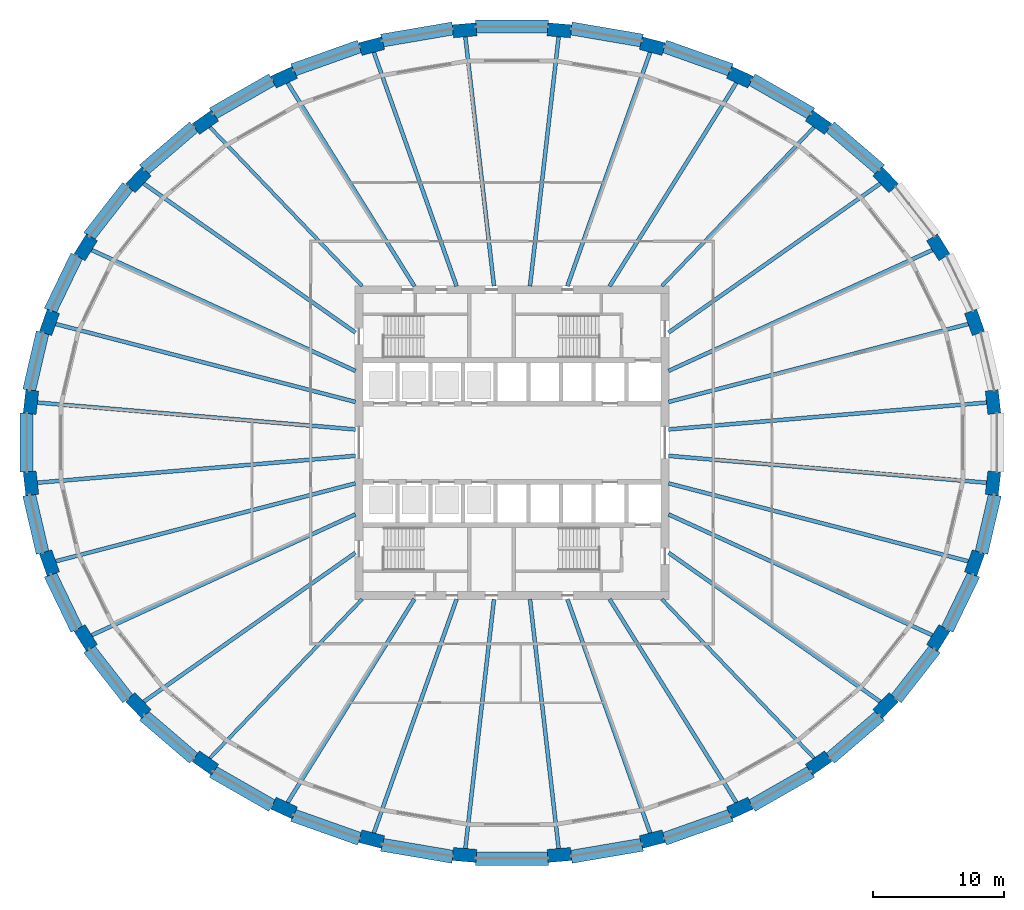
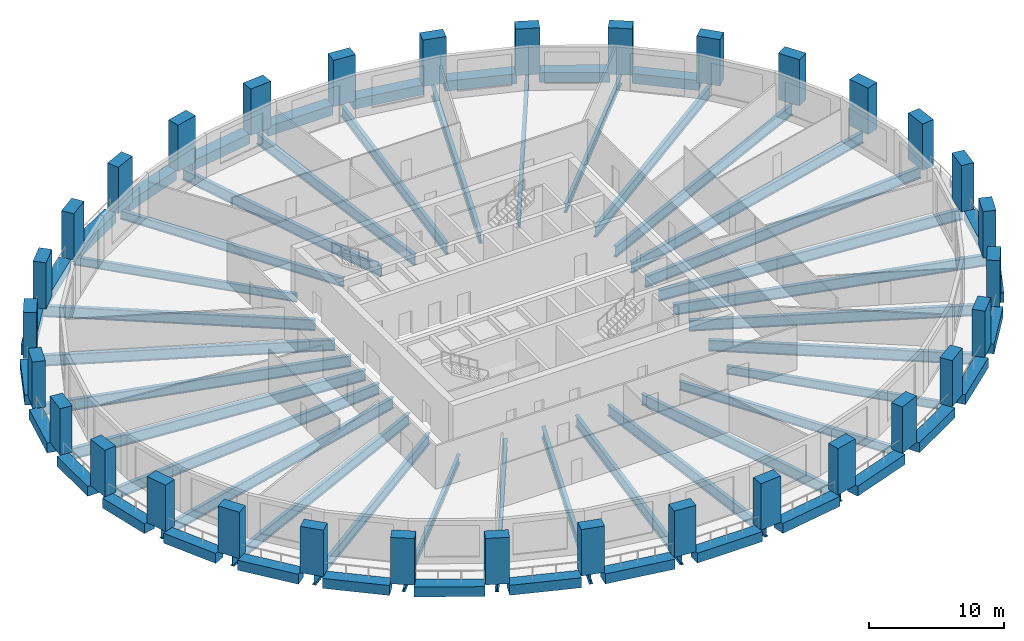
# One storey, part 1 of 10: 60 beams, 32 columns.
"""IFC4 building model written with IfcOpenShell, lengths in metres."""

from ifc_helpers import new_model, si_unit, direction, frame, origin, origin_2d, place, context, subcontext, project, spatial, rectangle, i_section, extrude, material, material_profile, profile_set, type_object, element, save


model = new_model("IFC4")

# Units and contexts
model_context = context("Model", 3, precision=1e-05, world=origin(), true_north=direction((0.0, 1.0)))
body_context = subcontext(model_context, "Body", "Model", "MODEL_VIEW")
ifc_project = project(units=[si_unit("LENGTHUNIT", "METRE"), si_unit("AREAUNIT", "SQUARE_METRE"), si_unit("VOLUMEUNIT", "CUBIC_METRE"), si_unit("PLANEANGLEUNIT", "RADIAN"), si_unit("MASSUNIT", "GRAM", prefix="KILO")], contexts=[model_context])

# Site, building, storey
site_placement = place(None, origin())
site = spatial("IfcSite", under=ifc_project, at=site_placement, CompositionType="ELEMENT")
building_placement = place(site_placement, origin())
building = spatial("IfcBuilding", under=site, at=building_placement, Name="Halqa Exchange Tower", CompositionType="ELEMENT")
storey_placement = place(building_placement, frame((0.0, 0.0, 57.10009765625)))
storey = spatial("IfcBuildingStorey", under=building, at=storey_placement, Name="L12", CompositionType="ELEMENT", Elevation=57.10009765625)

# Columns
ifc_material_1 = material(Name="Concrete C80/95", Category="concrete")
ifc_material_profile_1 = material_profile(ifc_material_1, rectangle(XDim=1.800048828125, YDim=1.0, at=origin_2d()), Name="1800 x 1000")
ifc_profile_set_1 = profile_set([ifc_material_profile_1], Name="Concrete C80/95")
column_type = type_object("IfcColumnType", Name="RC ring column 1800 x 1000 C80/95", PredefinedType="COLUMN", material=ifc_profile_set_1)
for number, where, z_axis, x_axis, name in (
    (1, (36.795654296875, 3.106201171875, 0.0), (0.0, 0.0, 1.0), (-0.114160389816, 0.993462332148, 0.0), "Ring column 1"),
    (2, (35.381591796875, 9.19970703125, 0.0), (0.0, 0.0, 1.0), (-0.33362916957, 0.942704395456, 0.0), "Ring column 2"),
    (3, (32.60791015625, 14.939453125, 0.0), (0.0, 0.0, 1.0), (-0.529139015285, 0.848535151012, 0.0), "Ring column 3"),
    (4, (28.5810546875, 20.10498046875, 0.0), (0.0, 0.0, 1.0), (-0.691577351953, 0.722302406382, 0.0), "Ring column 4"),
    (5, (23.455810546875, 24.498046875, 0.0), (0.0, 0.0, 1.0), (-0.817908788019, 0.57534790734, 0.0), "Ring column 5"),
    (6, (17.42919921875, 27.94970703125, 0.0), (0.0, 0.0, 1.0), (-0.909126368869, 0.416520402174, 0.0), "Ring column 6"),
    (7, (10.73291015625, 30.3271484375, 0.0), (0.0, 0.0, 1.0), (-0.967819942774, 0.251643713153, 0.0), "Ring column 7"),
    (8, (3.6240234375, 31.5390625, 0.0), (0.0, 0.0, 1.0), (-0.996455665803, 0.084119593962, 0.0), "Ring column 8"),
    (9, (-3.6240234375, 31.5390625, 0.0), (0.0, 0.0, 1.0), (-0.996455665803, -0.084119593962, 0.0), "Ring column 9"),
    (10, (-10.73291015625, 30.3271484375, 0.0), (0.0, 0.0, 1.0), (-0.967819942774, -0.251643713153, 0.0), "Ring column 10"),
    (11, (-17.42919921875, 27.94970703125, 0.0), (0.0, 0.0, 1.0), (-0.909126368869, -0.416520402174, 0.0), "Ring column 11"),
    (12, (-23.455810546875, 24.498046875, 0.0), (0.0, 0.0, 1.0), (-0.817908788019, -0.57534790734, 0.0), "Ring column 12"),
    (13, (-28.5810546875, 20.10498046875, 0.0), (0.0, 0.0, 1.0), (-0.691577351953, -0.722302406382, 0.0), "Ring column 13"),
    (14, (-32.60791015625, 14.939453125, 0.0), (0.0, 0.0, 1.0), (-0.529139015285, -0.848535151012, 0.0), "Ring column 14"),
    (15, (-35.381591796875, 9.19970703125, 0.0), (0.0, 0.0, 1.0), (-0.33362916957, -0.942704395456, 0.0), "Ring column 15"),
    (16, (-36.795654296875, 3.106201171875, 0.0), (0.0, 0.0, 1.0), (-0.114160389816, -0.993462332148, 0.0), "Ring column 16"),
    (17, (-36.795654296875, -3.106201171875, 0.0), (0.0, 0.0, 1.0), (0.114160389816, -0.993462332148, 0.0), "Ring column 17"),
    (18, (-35.381591796875, -9.19970703125, 0.0), (0.0, 0.0, 1.0), (0.33362916957, -0.942704395456, 0.0), "Ring column 18"),
    (19, (-32.60791015625, -14.939453125, 0.0), (0.0, 0.0, 1.0), (0.529139015285, -0.848535151012, 0.0), "Ring column 19"),
    (20, (-28.5810546875, -20.10498046875, 0.0), (0.0, 0.0, 1.0), (0.691577351953, -0.722302406382, 0.0), "Ring column 20"),
    (21, (-23.455810546875, -24.498046875, 0.0), (0.0, 0.0, 1.0), (0.817908788019, -0.57534790734, 0.0), "Ring column 21"),
    (22, (-17.42919921875, -27.94970703125, 0.0), (0.0, 0.0, 1.0), (0.909126368869, -0.416520402174, 0.0), "Ring column 22"),
    (23, (-10.73291015625, -30.3271484375, 0.0), (0.0, 0.0, 1.0), (0.967819942774, -0.251643713153, 0.0), "Ring column 23"),
    (24, (-3.6240234375, -31.5390625, 0.0), (0.0, 0.0, 1.0), (0.996455665803, -0.084119593962, 0.0), "Ring column 24"),
    (25, (3.6240234375, -31.5390625, 0.0), (0.0, 0.0, 1.0), (0.996455665803, 0.084119593962, 0.0), "Ring column 25"),
    (26, (10.73291015625, -30.3271484375, 0.0), (0.0, 0.0, 1.0), (0.967819942774, 0.251643713153, 0.0), "Ring column 26"),
    (27, (17.42919921875, -27.94970703125, 0.0), (0.0, 0.0, 1.0), (0.909126368869, 0.416520402174, 0.0), "Ring column 27"),
    (28, (23.455810546875, -24.498046875, 0.0), (0.0, 0.0, 1.0), (0.817908788019, 0.57534790734, 0.0), "Ring column 28"),
    (29, (28.5810546875, -20.10498046875, 0.0), (0.0, 0.0, 1.0), (0.691577351953, 0.722302406382, 0.0), "Ring column 29"),
    (30, (32.60791015625, -14.939453125, 0.0), (0.0, 0.0, 1.0), (0.529139015285, 0.848535151012, 0.0), "Ring column 30"),
    (31, (35.381591796875, -9.19970703125, 0.0), (0.0, 0.0, 1.0), (0.33362916957, 0.942704395456, 0.0), "Ring column 31"),
    (32, (36.795654296875, -3.106201171875, 0.0), (0.0, 0.0, 1.0), (0.114160389816, 0.993462332148, 0.0), "Ring column 32"),
):
    element("IfcColumn", number, at=place(storey_placement, frame(where, z_axis=z_axis, x_axis=x_axis)), inside=storey, type_object=column_type, Name=name, PredefinedType="COLUMN", context=body_context, shape_type="SweptSolid", body=[
        extrude(rectangle(XDim=1.800048828125, YDim=1.0, at=origin_2d()), origin(), (0.0, 0.0, 1.0), 4.199951171875),
    ])

# Beams
ifc_material_2 = material(Name="Steel S355", Category="steel")
ifc_material_profile_2 = material_profile(ifc_material_2, i_section(OverallWidth=0.300048828125, OverallDepth=0.989990234375, WebThickness=0.0166015625, FlangeThickness=0.031005859375, FilletRadius=0.030029296875, at=origin_2d()), Name="HEA 1000")
ifc_profile_set_2 = profile_set([ifc_material_profile_2], Name="Steel S355")
beam_type_1 = type_object("IfcBeamType", Name="Floor beam HEA 1000", PredefinedType="BEAM", material=ifc_profile_set_2)
beam_1_placement = place(storey_placement, frame((11.972412109375, 5.485107421875, -0.795166015625), z_axis=(0.909128252254, 0.416516291343, 0.0), x_axis=(-0.416516291343, 0.909128252254, 0.0)))
element("IfcBeam", 33, at=beam_1_placement, inside=storey, type_object=beam_type_1, Name="Radial beam 3", PredefinedType="BEAM", context=body_context, shape_type="SweptSolid", body=[
    extrude(i_section(OverallWidth=0.300048828125, OverallDepth=0.989990234375, WebThickness=0.0166015625, FlangeThickness=0.031005859375, FilletRadius=0.030029296875, at=origin_2d()), origin(), (0.0, 0.0, 1.0), 22.654052734375),
])
beam_2_placement = place(storey_placement, frame((11.972412109375, 8.421875, -0.795166015625), z_axis=(0.817910834663, 0.575344997841, 0.0), x_axis=(-0.575344997841, 0.817910834663, 0.0)))
element("IfcBeam", 34, at=beam_2_placement, inside=storey, type_object=beam_type_1, Name="Radial beam 4", PredefinedType="BEAM", context=body_context, shape_type="SweptSolid", body=[
    extrude(i_section(OverallWidth=0.300048828125, OverallDepth=0.989990234375, WebThickness=0.0166015625, FlangeThickness=0.031005859375, FilletRadius=0.030029296875, at=origin_2d()), origin(), (0.0, 0.0, 1.0), 20.253662109375),
])
beam_3_placement = place(storey_placement, frame((4.23681640625, 11.971923828125, -0.795166015625), z_axis=(0.333636480127, 0.942701808171, 0.0), x_axis=(-0.942701808171, 0.333636480127, 0.0)))
element("IfcBeam", 35, at=beam_3_placement, inside=storey, type_object=beam_type_1, Name="Radial beam 7", PredefinedType="BEAM", context=body_context, shape_type="SweptSolid", body=[
    extrude(i_section(OverallWidth=0.300048828125, OverallDepth=0.989990234375, WebThickness=0.0166015625, FlangeThickness=0.031005859375, FilletRadius=0.030029296875, at=origin_2d()), origin(), (0.0, 0.0, 1.0), 19.39453125),
])
for number, where, z_axis, x_axis, name in (
    (36, (1.375732421875, 11.972900390625, -0.795166015625), (0.114150293161, 0.993463492319, 0.0), (-0.993463492319, 0.114150293161, 0.0), "Radial beam 8"),
    (37, (-1.375732421875, 11.972900390625, -0.795166015625), (-0.114150293161, 0.993463492319, 0.0), (-0.993463492319, -0.114150293161, 0.0), "Radial beam 9"),
):
    element("IfcBeam", number, at=place(storey_placement, frame(where, z_axis=z_axis, x_axis=x_axis)), inside=storey, type_object=beam_type_1, Name=name, PredefinedType="BEAM", context=body_context, shape_type="SweptSolid", body=[
        extrude(i_section(OverallWidth=0.300048828125, OverallDepth=0.989990234375, WebThickness=0.0166015625, FlangeThickness=0.031005859375, FilletRadius=0.030029296875, at=origin_2d()), origin(), (0.0, 0.0, 1.0), 19.61669921875),
    ])
beam_4_placement = place(storey_placement, frame((-4.23681640625, 11.971923828125, -0.795166015625), z_axis=(-0.333636480127, 0.942701808171, 0.0), x_axis=(-0.942701808171, -0.333636480127, 0.0)))
element("IfcBeam", 38, at=beam_4_placement, inside=storey, type_object=beam_type_1, Name="Radial beam 10", PredefinedType="BEAM", context=body_context, shape_type="SweptSolid", body=[
    extrude(i_section(OverallWidth=0.300048828125, OverallDepth=0.989990234375, WebThickness=0.0166015625, FlangeThickness=0.031005859375, FilletRadius=0.030029296875, at=origin_2d()), origin(), (0.0, 0.0, 1.0), 19.39453125),
])
beam_5_placement = place(storey_placement, frame((-11.972412109375, 8.421875, -0.795166015625), z_axis=(-0.817910834663, 0.575344997841, 0.0), x_axis=(-0.575344997841, -0.817910834663, 0.0)))
element("IfcBeam", 39, at=beam_5_placement, inside=storey, type_object=beam_type_1, Name="Radial beam 13", PredefinedType="BEAM", context=body_context, shape_type="SweptSolid", body=[
    extrude(i_section(OverallWidth=0.300048828125, OverallDepth=0.989990234375, WebThickness=0.0166015625, FlangeThickness=0.031005859375, FilletRadius=0.030029296875, at=origin_2d()), origin(), (0.0, 0.0, 1.0), 20.253662109375),
])
for number, where, z_axis, x_axis, name in (
    (40, (-11.972412109375, 5.485107421875, -0.795166015625), (-0.909128252254, 0.416516291343, 0.0), (-0.416516291343, -0.909128252254, 0.0), "Radial beam 14"),
    (41, (-11.972412109375, -5.485107421875, -0.795166015625), (-0.909128252254, -0.416516291343, 0.0), (0.416516291343, -0.909128252254, 0.0), "Radial beam 19"),
):
    element("IfcBeam", number, at=place(storey_placement, frame(where, z_axis=z_axis, x_axis=x_axis)), inside=storey, type_object=beam_type_1, Name=name, PredefinedType="BEAM", context=body_context, shape_type="SweptSolid", body=[
        extrude(i_section(OverallWidth=0.300048828125, OverallDepth=0.989990234375, WebThickness=0.0166015625, FlangeThickness=0.031005859375, FilletRadius=0.030029296875, at=origin_2d()), origin(), (0.0, 0.0, 1.0), 22.654052734375),
    ])
beam_6_placement = place(storey_placement, frame((-11.972412109375, -8.421875, -0.795166015625), z_axis=(-0.817910834663, -0.575344997841, 0.0), x_axis=(0.575344997841, -0.817910834663, 0.0)))
element("IfcBeam", 42, at=beam_6_placement, inside=storey, type_object=beam_type_1, Name="Radial beam 20", PredefinedType="BEAM", context=body_context, shape_type="SweptSolid", body=[
    extrude(i_section(OverallWidth=0.300048828125, OverallDepth=0.989990234375, WebThickness=0.0166015625, FlangeThickness=0.031005859375, FilletRadius=0.030029296875, at=origin_2d()), origin(), (0.0, 0.0, 1.0), 20.253662109375),
])
beam_7_placement = place(storey_placement, frame((-4.23681640625, -11.971923828125, -0.795166015625), z_axis=(-0.333636480127, -0.942701808171, 0.0), x_axis=(0.942701808171, -0.333636480127, 0.0)))
element("IfcBeam", 43, at=beam_7_placement, inside=storey, type_object=beam_type_1, Name="Radial beam 23", PredefinedType="BEAM", context=body_context, shape_type="SweptSolid", body=[
    extrude(i_section(OverallWidth=0.300048828125, OverallDepth=0.989990234375, WebThickness=0.0166015625, FlangeThickness=0.031005859375, FilletRadius=0.030029296875, at=origin_2d()), origin(), (0.0, 0.0, 1.0), 19.39453125),
])
for number, where, z_axis, x_axis, name in (
    (44, (-1.375732421875, -11.972900390625, -0.795166015625), (-0.114150293161, -0.993463492319, 0.0), (0.993463492319, -0.114150293161, 0.0), "Radial beam 24"),
    (45, (1.375732421875, -11.972900390625, -0.795166015625), (0.114150293161, -0.993463492319, 0.0), (0.993463492319, 0.114150293161, 0.0), "Radial beam 25"),
):
    element("IfcBeam", number, at=place(storey_placement, frame(where, z_axis=z_axis, x_axis=x_axis)), inside=storey, type_object=beam_type_1, Name=name, PredefinedType="BEAM", context=body_context, shape_type="SweptSolid", body=[
        extrude(i_section(OverallWidth=0.300048828125, OverallDepth=0.989990234375, WebThickness=0.0166015625, FlangeThickness=0.031005859375, FilletRadius=0.030029296875, at=origin_2d()), origin(), (0.0, 0.0, 1.0), 19.61669921875),
    ])
beam_8_placement = place(storey_placement, frame((4.23681640625, -11.971923828125, -0.795166015625), z_axis=(0.333636480127, -0.942701808171, 0.0), x_axis=(0.942701808171, 0.333636480127, 0.0)))
element("IfcBeam", 46, at=beam_8_placement, inside=storey, type_object=beam_type_1, Name="Radial beam 26", PredefinedType="BEAM", context=body_context, shape_type="SweptSolid", body=[
    extrude(i_section(OverallWidth=0.300048828125, OverallDepth=0.989990234375, WebThickness=0.0166015625, FlangeThickness=0.031005859375, FilletRadius=0.030029296875, at=origin_2d()), origin(), (0.0, 0.0, 1.0), 19.39453125),
])
beam_9_placement = place(storey_placement, frame((11.972412109375, -8.421875, -0.795166015625), z_axis=(0.817910834663, -0.575344997841, 0.0), x_axis=(0.575344997841, 0.817910834663, 0.0)))
element("IfcBeam", 47, at=beam_9_placement, inside=storey, type_object=beam_type_1, Name="Radial beam 29", PredefinedType="BEAM", context=body_context, shape_type="SweptSolid", body=[
    extrude(i_section(OverallWidth=0.300048828125, OverallDepth=0.989990234375, WebThickness=0.0166015625, FlangeThickness=0.031005859375, FilletRadius=0.030029296875, at=origin_2d()), origin(), (0.0, 0.0, 1.0), 20.253662109375),
])
beam_10_placement = place(storey_placement, frame((11.972412109375, -5.485107421875, -0.795166015625), z_axis=(0.909128252254, -0.416516291343, 0.0), x_axis=(0.416516291343, 0.909128252254, 0.0)))
element("IfcBeam", 48, at=beam_10_placement, inside=storey, type_object=beam_type_1, Name="Radial beam 30", PredefinedType="BEAM", context=body_context, shape_type="SweptSolid", body=[
    extrude(i_section(OverallWidth=0.300048828125, OverallDepth=0.989990234375, WebThickness=0.0166015625, FlangeThickness=0.031005859375, FilletRadius=0.030029296875, at=origin_2d()), origin(), (0.0, 0.0, 1.0), 22.654052734375),
])
ifc_material_profile_3 = material_profile(ifc_material_2, i_section(OverallWidth=0.300048828125, OverallDepth=0.7900390625, WebThickness=0.014892578125, FlangeThickness=0.028076171875, FilletRadius=0.030029296875, at=origin_2d()), Name="HEA 800")
ifc_profile_set_3 = profile_set([ifc_material_profile_3], Name="Steel S355")
beam_type_2 = type_object("IfcBeamType", Name="Floor beam HEA 800", PredefinedType="BEAM", material=ifc_profile_set_3)
for number, where, z_axis, x_axis, name in (
    (49, (7.46533203125, 11.971435546875, -0.695068359375), (0.529137672144, 0.848535988582, 0.0), (-0.848535988582, 0.529137672144, 0.0), "Radial beam 6"),
    (50, (-7.46533203125, 11.971435546875, -0.695068359375), (-0.529137672144, 0.848535988582, 0.0), (-0.848535988582, -0.529137672144, 0.0), "Radial beam 11"),
    (51, (-7.46533203125, -11.971435546875, -0.695068359375), (-0.529137672144, -0.848535988582, 0.0), (0.848535988582, -0.529137672144, 0.0), "Radial beam 22"),
    (52, (7.46533203125, -11.971435546875, -0.695068359375), (0.529137672144, -0.848535988582, 0.0), (0.848535988582, 0.529137672144, 0.0), "Radial beam 27"),
):
    element("IfcBeam", number, at=place(storey_placement, frame(where, z_axis=z_axis, x_axis=x_axis)), inside=storey, type_object=beam_type_2, Name=name, PredefinedType="BEAM", context=body_context, shape_type="SweptSolid", body=[
        extrude(i_section(OverallWidth=0.300048828125, OverallDepth=0.7900390625, WebThickness=0.014892578125, FlangeThickness=0.028076171875, FilletRadius=0.030029296875, at=origin_2d()), origin(), (0.0, 0.0, 1.0), 18.75927734375),
    ])
ifc_material_profile_4 = material_profile(ifc_material_2, i_section(OverallWidth=0.300048828125, OverallDepth=1.0, WebThickness=0.01904296875, FlangeThickness=0.035888671875, FilletRadius=0.030029296875, at=origin_2d()), Name="HEB 1000")
ifc_profile_set_4 = profile_set([ifc_material_profile_4], Name="Steel S355")
beam_type_3 = type_object("IfcBeamType", Name="Floor beam HEB 1000", PredefinedType="BEAM", material=ifc_profile_set_4)
for number, where, z_axis, x_axis, name in (
    (53, (11.97119140625, 3.11279296875, -0.800048828125), (0.967820586637, 0.251641236846, 0.0), (-0.251641236846, 0.967820586637, 0.0), "Radial beam 2"),
    (54, (-11.97119140625, 3.11279296875, -0.800048828125), (-0.967820586637, 0.251641236846, 0.0), (-0.251641236846, -0.967820586637, 0.0), "Radial beam 15"),
    (55, (-11.97119140625, -3.11279296875, -0.800048828125), (-0.967820586637, -0.251641236846, 0.0), (0.251641236846, -0.967820586637, 0.0), "Radial beam 18"),
    (56, (11.97119140625, -3.11279296875, -0.800048828125), (0.967820586637, -0.251641236846, 0.0), (0.251641236846, 0.967820586637, 0.0), "Radial beam 31"),
):
    element("IfcBeam", number, at=place(storey_placement, frame(where, z_axis=z_axis, x_axis=x_axis)), inside=storey, type_object=beam_type_3, Name=name, PredefinedType="BEAM", context=body_context, shape_type="SweptSolid", body=[
        extrude(i_section(OverallWidth=0.300048828125, OverallDepth=1.0, WebThickness=0.01904296875, FlangeThickness=0.035888671875, FilletRadius=0.030029296875, at=origin_2d()), origin(), (0.0, 0.0, 1.0), 24.153076171875),
    ])
ifc_material_profile_5 = material_profile(ifc_material_2, i_section(OverallWidth=0.302001953125, OverallDepth=1.008056640625, WebThickness=0.02099609375, FlangeThickness=0.0400390625, FilletRadius=0.030029296875, at=origin_2d()), Name="HEM 1000")
ifc_profile_set_5 = profile_set([ifc_material_profile_5], Name="Steel S355")
beam_type_4 = type_object("IfcBeamType", Name="Floor beam HEM 1000", PredefinedType="BEAM", material=ifc_profile_set_5)
for number, where, z_axis, x_axis, name in (
    (57, (11.972412109375, 1.0107421875, -0.80419921875), (0.996455582093, 0.084120585565, 0.0), (-0.084120585565, 0.996455582093, 0.0), "Radial beam 1"),
    (58, (-11.972412109375, 1.0107421875, -0.80419921875), (-0.996455582093, 0.084120585565, 0.0), (-0.084120585565, -0.996455582093, 0.0), "Radial beam 16"),
    (59, (-11.972412109375, -1.0107421875, -0.80419921875), (-0.996455582093, -0.084120585565, 0.0), (0.084120585565, -0.996455582093, 0.0), "Radial beam 17"),
    (60, (11.972412109375, -1.0107421875, -0.80419921875), (0.996455582093, -0.084120585565, 0.0), (0.084120585565, 0.996455582093, 0.0), "Radial beam 32"),
):
    element("IfcBeam", number, at=place(storey_placement, frame(where, z_axis=z_axis, x_axis=x_axis)), inside=storey, type_object=beam_type_4, Name=name, PredefinedType="BEAM", context=body_context, shape_type="SweptSolid", body=[
        extrude(i_section(OverallWidth=0.302001953125, OverallDepth=1.008056640625, WebThickness=0.02099609375, FlangeThickness=0.0400390625, FilletRadius=0.030029296875, at=origin_2d()), origin(), (0.0, 0.0, 1.0), 24.881103515625),
    ])
ifc_material_profile_6 = material_profile(ifc_material_2, i_section(OverallWidth=0.264892578125, OverallDepth=0.7529296875, WebThickness=0.01318359375, FlangeThickness=0.01708984375, FilletRadius=0.01708984375, at=origin_2d()), Name="IPE 750x147")
ifc_profile_set_6 = profile_set([ifc_material_profile_6], Name="Steel S355")
beam_type_5 = type_object("IfcBeamType", Name="Floor beam IPE 750x147", PredefinedType="BEAM", material=ifc_profile_set_6)
for number, where, z_axis, x_axis, name in (
    (61, (11.462890625, 11.97216796875, -0.676513671875), (0.691574479101, 0.722305157019, 0.0), (-0.722305157019, 0.691574479101, 0.0), "Radial beam 5"),
    (62, (-11.462890625, 11.97216796875, -0.676513671875), (-0.691574479101, 0.722305157019, 0.0), (-0.722305157019, -0.691574479101, 0.0), "Radial beam 12"),
    (63, (-11.462890625, -11.97216796875, -0.676513671875), (-0.691574479101, -0.722305157019, 0.0), (0.722305157019, -0.691574479101, 0.0), "Radial beam 21"),
    (64, (11.462890625, -11.97216796875, -0.676513671875), (0.691574479101, -0.722305157019, 0.0), (0.722305157019, 0.691574479101, 0.0), "Radial beam 28"),
):
    element("IfcBeam", number, at=place(storey_placement, frame(where, z_axis=z_axis, x_axis=x_axis)), inside=storey, type_object=beam_type_5, Name=name, PredefinedType="BEAM", context=body_context, shape_type="SweptSolid", body=[
        extrude(i_section(OverallWidth=0.264892578125, OverallDepth=0.7529296875, WebThickness=0.01318359375, FlangeThickness=0.01708984375, FilletRadius=0.01708984375, at=origin_2d()), origin(), (0.0, 0.0, 1.0), 17.279296875),
    ])
ifc_material_3 = material(Name="Concrete C60/75", Category="concrete")
ifc_material_profile_7 = material_profile(ifc_material_3, rectangle(XDim=1.0, YDim=0.89990234375, at=origin_2d()), Name="1000 x 900")
ifc_profile_set_7 = profile_set([ifc_material_profile_7], Name="Concrete C60/75")
beam_type_6 = type_object("IfcBeamType", Name="RC spandrel beam 1000 x 900 C60/75", PredefinedType="SPANDREL", material=ifc_profile_set_7)
beam_11_placement = place(storey_placement, frame((28.18017578125, 20.861328125, -0.4501953125), z_axis=(-0.759266817387, 0.650779455741, 0.0), x_axis=(-0.650779455741, -0.759266817387, 0.0)))
element("IfcBeam", 65, at=beam_11_placement, inside=storey, type_object=beam_type_6, Name="Spandrel 4", PredefinedType="SPANDREL", context=body_context, shape_type="SweptSolid", body=[
    extrude(rectangle(XDim=1.0, YDim=0.89990234375, at=origin_2d()), origin(), (0.0, 0.0, 1.0), 5.061279296875),
])
beam_12_placement = place(storey_placement, frame((22.91259765625, 25.16015625, -0.4501953125), z_axis=(-0.86775126058, 0.496998742214, 0.0), x_axis=(-0.496998742214, -0.86775126058, 0.0)))
element("IfcBeam", 66, at=beam_12_placement, inside=storey, type_object=beam_type_6, Name="Spandrel 5", PredefinedType="SPANDREL", context=body_context, shape_type="SweptSolid", body=[
    extrude(rectangle(XDim=1.0, YDim=0.89990234375, at=origin_2d()), origin(), (0.0, 0.0, 1.0), 5.258056640625),
])
beam_13_placement = place(storey_placement, frame((16.764892578125, 28.50146484375, -0.4501953125), z_axis=(-0.942379193902, 0.334546640845, 0.0), x_axis=(-0.334546640845, -0.942379193902, 0.0)))
element("IfcBeam", 67, at=beam_13_placement, inside=storey, type_object=beam_type_6, Name="Spandrel 6", PredefinedType="SPANDREL", context=body_context, shape_type="SweptSolid", body=[
    extrude(rectangle(XDim=1.0, YDim=0.89990234375, at=origin_2d()), origin(), (0.0, 0.0, 1.0), 5.419921875),
])
beam_14_placement = place(storey_placement, frame((9.9697265625, 30.7548828125, -0.4501953125), z_axis=(-0.985774816131, 0.168071448739, 0.0), x_axis=(-0.168071448739, -0.985774816131, 0.0)))
element("IfcBeam", 68, at=beam_14_placement, inside=storey, type_object=beam_type_6, Name="Spandrel 7", PredefinedType="SPANDREL", context=body_context, shape_type="SweptSolid", body=[
    extrude(rectangle(XDim=1.0, YDim=0.89990234375, at=origin_2d()), origin(), (0.0, 0.0, 1.0), 5.528564453125),
])
beam_15_placement = place(storey_placement, frame((2.783203125, 31.8310546875, -0.4501953125), z_axis=(-1.0, 0.0, 0.0), x_axis=(0.0, -1.0, 0.0)))
element("IfcBeam", 69, at=beam_15_placement, inside=storey, type_object=beam_type_6, Name="Spandrel 8", PredefinedType="SPANDREL", context=body_context, shape_type="SweptSolid", body=[
    extrude(rectangle(XDim=1.0, YDim=0.89990234375, at=origin_2d()), origin(), (0.0, 0.0, 1.0), 5.56640625),
])
beam_16_placement = place(storey_placement, frame((-4.519775390625, 31.68408203125, -0.4501953125), z_axis=(-0.985774816131, -0.168071448739, 0.0), x_axis=(0.168071448739, -0.985774816131, 0.0)))
element("IfcBeam", 70, at=beam_16_placement, inside=storey, type_object=beam_type_6, Name="Spandrel 9", PredefinedType="SPANDREL", context=body_context, shape_type="SweptSolid", body=[
    extrude(rectangle(XDim=1.0, YDim=0.89990234375, at=origin_2d()), origin(), (0.0, 0.0, 1.0), 5.528564453125),
])
beam_17_placement = place(storey_placement, frame((-11.6572265625, 30.314697265625, -0.4501953125), z_axis=(-0.942379193902, -0.334546640845, 0.0), x_axis=(0.334546640845, -0.942379193902, 0.0)))
element("IfcBeam", 71, at=beam_17_placement, inside=storey, type_object=beam_type_6, Name="Spandrel 10", PredefinedType="SPANDREL", context=body_context, shape_type="SweptSolid", body=[
    extrude(rectangle(XDim=1.0, YDim=0.89990234375, at=origin_2d()), origin(), (0.0, 0.0, 1.0), 5.419921875),
])
beam_18_placement = place(storey_placement, frame((-18.349853515625, 27.7734375, -0.4501953125), z_axis=(-0.86775126058, -0.496998742214, 0.0), x_axis=(0.496998742214, -0.86775126058, 0.0)))
element("IfcBeam", 72, at=beam_18_placement, inside=storey, type_object=beam_type_6, Name="Spandrel 11", PredefinedType="SPANDREL", context=body_context, shape_type="SweptSolid", body=[
    extrude(rectangle(XDim=1.0, YDim=0.89990234375, at=origin_2d()), origin(), (0.0, 0.0, 1.0), 5.258056640625),
])
beam_19_placement = place(storey_placement, frame((-24.33740234375, 24.155029296875, -0.4501953125), z_axis=(-0.759266817387, -0.650779455741, 0.0), x_axis=(0.650779455741, -0.759266817387, 0.0)))
element("IfcBeam", 73, at=beam_19_placement, inside=storey, type_object=beam_type_6, Name="Spandrel 12", PredefinedType="SPANDREL", context=body_context, shape_type="SweptSolid", body=[
    extrude(rectangle(XDim=1.0, YDim=0.89990234375, at=origin_2d()), origin(), (0.0, 0.0, 1.0), 5.061279296875),
])
beam_20_placement = place(storey_placement, frame((-29.3837890625, 19.6005859375, -0.4501953125), z_axis=(-0.614803063133, -0.788680666406, 0.0), x_axis=(0.788680666406, -0.614803063133, 0.0)))
element("IfcBeam", 74, at=beam_20_placement, inside=storey, type_object=beam_type_6, Name="Spandrel 13", PredefinedType="SPANDREL", context=body_context, shape_type="SweptSolid", body=[
    extrude(rectangle(XDim=1.0, YDim=0.89990234375, at=origin_2d()), origin(), (0.0, 0.0, 1.0), 4.858154296875),
])
beam_21_placement = place(storey_placement, frame((-33.29150390625, 14.287109375, -0.4501953125), z_axis=(-0.43512988636, -0.900367692666, 0.0), x_axis=(0.900367692666, -0.43512988636, 0.0)))
element("IfcBeam", 75, at=beam_21_placement, inside=storey, type_object=beam_type_6, Name="Spandrel 14", PredefinedType="SPANDREL", context=body_context, shape_type="SweptSolid", body=[
    extrude(rectangle(XDim=1.0, YDim=0.89990234375, at=origin_2d()), origin(), (0.0, 0.0, 1.0), 4.6787109375),
])
beam_22_placement = place(storey_placement, frame((-35.907470703125, 8.4296875, -0.4501953125), z_axis=(-0.226037111301, -0.974118691082, 0.0), x_axis=(0.974118691082, -0.226037111301, 0.0)))
element("IfcBeam", 76, at=beam_22_placement, inside=storey, type_object=beam_type_6, Name="Spandrel 15", PredefinedType="SPANDREL", context=body_context, shape_type="SweptSolid", body=[
    extrude(rectangle(XDim=1.0, YDim=0.89990234375, at=origin_2d()), origin(), (0.0, 0.0, 1.0), 4.556884765625),
])
beam_23_placement = place(storey_placement, frame((-37.135986328125, 2.25634765625, -0.4501953125), z_axis=(0.0, -1.0, 0.0), x_axis=(1.0, 0.0, 0.0)))
element("IfcBeam", 77, at=beam_23_placement, inside=storey, type_object=beam_type_6, Name="Spandrel 16", PredefinedType="SPANDREL", context=body_context, shape_type="SweptSolid", body=[
    extrude(rectangle(XDim=1.0, YDim=0.89990234375, at=origin_2d()), origin(), (0.0, 0.0, 1.0), 4.5126953125),
])
beam_24_placement = place(storey_placement, frame((-36.9375, -3.99072265625, -0.4501953125), z_axis=(0.226037111301, -0.974118691082, 0.0), x_axis=(0.974118691082, 0.226037111301, 0.0)))
element("IfcBeam", 78, at=beam_24_placement, inside=storey, type_object=beam_type_6, Name="Spandrel 17", PredefinedType="SPANDREL", context=body_context, shape_type="SweptSolid", body=[
    extrude(rectangle(XDim=1.0, YDim=0.89990234375, at=origin_2d()), origin(), (0.0, 0.0, 1.0), 4.556884765625),
])
beam_25_placement = place(storey_placement, frame((-35.327392578125, -10.074462890625, -0.4501953125), z_axis=(0.43512988636, -0.900367692666, 0.0), x_axis=(0.900367692666, 0.43512988636, 0.0)))
element("IfcBeam", 79, at=beam_25_placement, inside=storey, type_object=beam_type_6, Name="Spandrel 18", PredefinedType="SPANDREL", context=body_context, shape_type="SweptSolid", body=[
    extrude(rectangle(XDim=1.0, YDim=0.89990234375, at=origin_2d()), origin(), (0.0, 0.0, 1.0), 4.6787109375),
])
beam_26_placement = place(storey_placement, frame((-32.37060546875, -15.76904296875, -0.4501953125), z_axis=(0.614803063133, -0.788680666406, 0.0), x_axis=(0.788680666406, 0.614803063133, 0.0)))
element("IfcBeam", 80, at=beam_26_placement, inside=storey, type_object=beam_type_6, Name="Spandrel 19", PredefinedType="SPANDREL", context=body_context, shape_type="SweptSolid", body=[
    extrude(rectangle(XDim=1.0, YDim=0.89990234375, at=origin_2d()), origin(), (0.0, 0.0, 1.0), 4.858154296875),
])
beam_27_placement = place(storey_placement, frame((-28.18017578125, -20.861328125, -0.4501953125), z_axis=(0.759266817387, -0.650779455741, 0.0), x_axis=(0.650779455741, 0.759266817387, 0.0)))
element("IfcBeam", 81, at=beam_27_placement, inside=storey, type_object=beam_type_6, Name="Spandrel 20", PredefinedType="SPANDREL", context=body_context, shape_type="SweptSolid", body=[
    extrude(rectangle(XDim=1.0, YDim=0.89990234375, at=origin_2d()), origin(), (0.0, 0.0, 1.0), 5.061279296875),
])
beam_28_placement = place(storey_placement, frame((-22.91259765625, -25.16015625, -0.4501953125), z_axis=(0.86775126058, -0.496998742214, 0.0), x_axis=(0.496998742214, 0.86775126058, 0.0)))
element("IfcBeam", 82, at=beam_28_placement, inside=storey, type_object=beam_type_6, Name="Spandrel 21", PredefinedType="SPANDREL", context=body_context, shape_type="SweptSolid", body=[
    extrude(rectangle(XDim=1.0, YDim=0.89990234375, at=origin_2d()), origin(), (0.0, 0.0, 1.0), 5.258056640625),
])
beam_29_placement = place(storey_placement, frame((-16.764892578125, -28.50146484375, -0.4501953125), z_axis=(0.942379193902, -0.334546640845, 0.0), x_axis=(0.334546640845, 0.942379193902, 0.0)))
element("IfcBeam", 83, at=beam_29_placement, inside=storey, type_object=beam_type_6, Name="Spandrel 22", PredefinedType="SPANDREL", context=body_context, shape_type="SweptSolid", body=[
    extrude(rectangle(XDim=1.0, YDim=0.89990234375, at=origin_2d()), origin(), (0.0, 0.0, 1.0), 5.419921875),
])
beam_30_placement = place(storey_placement, frame((-9.9697265625, -30.7548828125, -0.4501953125), z_axis=(0.985774816131, -0.168071448739, 0.0), x_axis=(0.168071448739, 0.985774816131, 0.0)))
element("IfcBeam", 84, at=beam_30_placement, inside=storey, type_object=beam_type_6, Name="Spandrel 23", PredefinedType="SPANDREL", context=body_context, shape_type="SweptSolid", body=[
    extrude(rectangle(XDim=1.0, YDim=0.89990234375, at=origin_2d()), origin(), (0.0, 0.0, 1.0), 5.528564453125),
])
beam_31_placement = place(storey_placement, frame((-2.783203125, -31.8310546875, -0.4501953125), z_axis=(1.0, 0.0, 0.0), x_axis=(0.0, 1.0, 0.0)))
element("IfcBeam", 85, at=beam_31_placement, inside=storey, type_object=beam_type_6, Name="Spandrel 24", PredefinedType="SPANDREL", context=body_context, shape_type="SweptSolid", body=[
    extrude(rectangle(XDim=1.0, YDim=0.89990234375, at=origin_2d()), origin(), (0.0, 0.0, 1.0), 5.56640625),
])
beam_32_placement = place(storey_placement, frame((4.519775390625, -31.68408203125, -0.4501953125), z_axis=(0.985774816131, 0.168071448739, 0.0), x_axis=(-0.168071448739, 0.985774816131, 0.0)))
element("IfcBeam", 86, at=beam_32_placement, inside=storey, type_object=beam_type_6, Name="Spandrel 25", PredefinedType="SPANDREL", context=body_context, shape_type="SweptSolid", body=[
    extrude(rectangle(XDim=1.0, YDim=0.89990234375, at=origin_2d()), origin(), (0.0, 0.0, 1.0), 5.528564453125),
])
beam_33_placement = place(storey_placement, frame((11.6572265625, -30.314697265625, -0.4501953125), z_axis=(0.942379193902, 0.334546640845, 0.0), x_axis=(-0.334546640845, 0.942379193902, 0.0)))
element("IfcBeam", 87, at=beam_33_placement, inside=storey, type_object=beam_type_6, Name="Spandrel 26", PredefinedType="SPANDREL", context=body_context, shape_type="SweptSolid", body=[
    extrude(rectangle(XDim=1.0, YDim=0.89990234375, at=origin_2d()), origin(), (0.0, 0.0, 1.0), 5.419921875),
])
beam_34_placement = place(storey_placement, frame((18.349853515625, -27.7734375, -0.4501953125), z_axis=(0.86775126058, 0.496998742214, 0.0), x_axis=(-0.496998742214, 0.86775126058, 0.0)))
element("IfcBeam", 88, at=beam_34_placement, inside=storey, type_object=beam_type_6, Name="Spandrel 27", PredefinedType="SPANDREL", context=body_context, shape_type="SweptSolid", body=[
    extrude(rectangle(XDim=1.0, YDim=0.89990234375, at=origin_2d()), origin(), (0.0, 0.0, 1.0), 5.258056640625),
])
beam_35_placement = place(storey_placement, frame((24.33740234375, -24.155029296875, -0.4501953125), z_axis=(0.759266817387, 0.650779455741, 0.0), x_axis=(-0.650779455741, 0.759266817387, 0.0)))
element("IfcBeam", 89, at=beam_35_placement, inside=storey, type_object=beam_type_6, Name="Spandrel 28", PredefinedType="SPANDREL", context=body_context, shape_type="SweptSolid", body=[
    extrude(rectangle(XDim=1.0, YDim=0.89990234375, at=origin_2d()), origin(), (0.0, 0.0, 1.0), 5.061279296875),
])
beam_36_placement = place(storey_placement, frame((29.3837890625, -19.6005859375, -0.4501953125), z_axis=(0.614803063133, 0.788680666406, 0.0), x_axis=(-0.788680666406, 0.614803063133, 0.0)))
element("IfcBeam", 90, at=beam_36_placement, inside=storey, type_object=beam_type_6, Name="Spandrel 29", PredefinedType="SPANDREL", context=body_context, shape_type="SweptSolid", body=[
    extrude(rectangle(XDim=1.0, YDim=0.89990234375, at=origin_2d()), origin(), (0.0, 0.0, 1.0), 4.858154296875),
])
beam_37_placement = place(storey_placement, frame((33.29150390625, -14.287109375, -0.4501953125), z_axis=(0.43512988636, 0.900367692666, 0.0), x_axis=(-0.900367692666, 0.43512988636, 0.0)))
element("IfcBeam", 91, at=beam_37_placement, inside=storey, type_object=beam_type_6, Name="Spandrel 30", PredefinedType="SPANDREL", context=body_context, shape_type="SweptSolid", body=[
    extrude(rectangle(XDim=1.0, YDim=0.89990234375, at=origin_2d()), origin(), (0.0, 0.0, 1.0), 4.6787109375),
])
beam_38_placement = place(storey_placement, frame((35.907470703125, -8.4296875, -0.4501953125), z_axis=(0.226037111301, 0.974118691082, 0.0), x_axis=(-0.974118691082, 0.226037111301, 0.0)))
element("IfcBeam", 92, at=beam_38_placement, inside=storey, type_object=beam_type_6, Name="Spandrel 31", PredefinedType="SPANDREL", context=body_context, shape_type="SweptSolid", body=[
    extrude(rectangle(XDim=1.0, YDim=0.89990234375, at=origin_2d()), origin(), (0.0, 0.0, 1.0), 4.556884765625),
])

save(model, "model.ifc")
